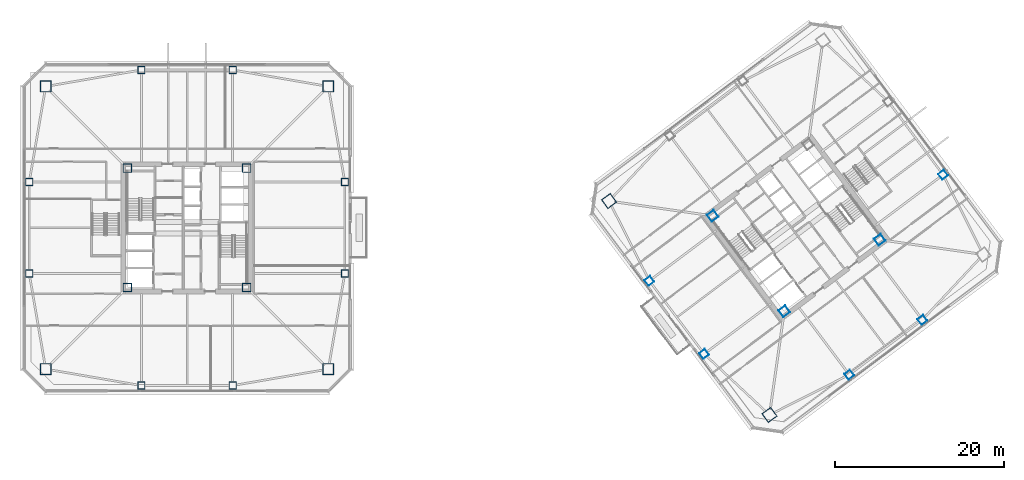
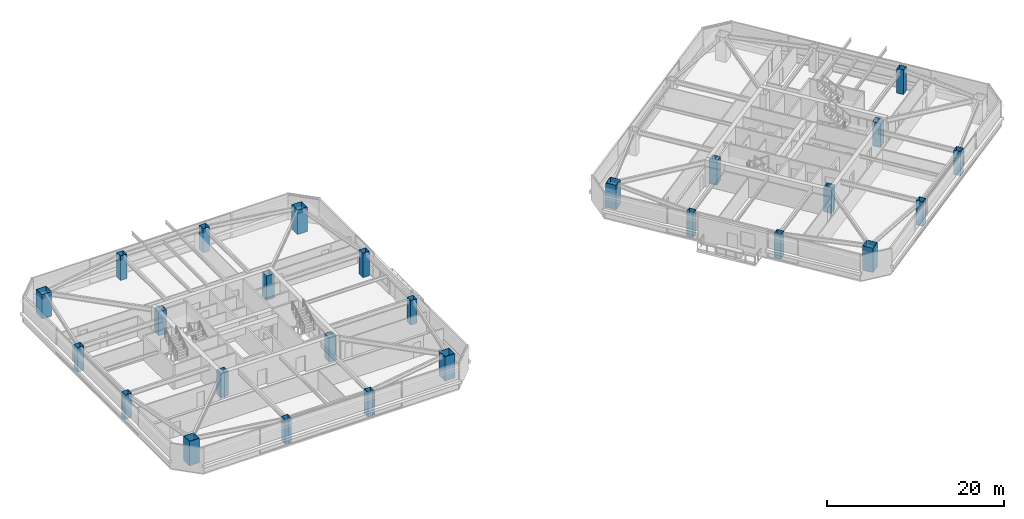
# One storey, part 1 of 40: 26 columns.
"""IFC4 building model written with IfcOpenShell, lengths in metres."""

from ifc_helpers import new_model, si_unit, direction, frame, origin, origin_2d, place, context, subcontext, project, spatial, hollow_rectangle, extrude, material, material_profile, profile_set, type_object, element, save


model = new_model("IFC4")

# Units and contexts
model_context = context("Model", 3, precision=1e-05, world=origin(), true_north=direction((0.0, 1.0)))
body_context = subcontext(model_context, "Body", "Model", "MODEL_VIEW")
ifc_project = project(units=[si_unit("LENGTHUNIT", "METRE"), si_unit("AREAUNIT", "SQUARE_METRE"), si_unit("VOLUMEUNIT", "CUBIC_METRE"), si_unit("PLANEANGLEUNIT", "RADIAN"), si_unit("MASSUNIT", "GRAM", prefix="KILO")], contexts=[model_context])

# Site, building, storey
site_placement = place(None, origin())
site = spatial("IfcSite", under=ifc_project, at=site_placement, CompositionType="ELEMENT")
building_placement = place(site_placement, origin())
building = spatial("IfcBuilding", under=site, at=building_placement, Name="Tashvorn Skyway Center", CompositionType="ELEMENT")
storey_placement = place(building_placement, frame((0.0, 0.0, 142.800048828125)))
storey = spatial("IfcBuildingStorey", under=building, at=storey_placement, Name="L38", CompositionType="ELEMENT", Elevation=142.800048828125)

# Columns
ifc_material = material(Name="Steel ASTM A572 Grade 50", Category="steel")
ifc_material_profile_1 = material_profile(ifc_material, hollow_rectangle(XDim=1.0, YDim=1.0, WallThickness=0.0400390625, at=origin_2d()), Name="BOX1000x1000x40")
ifc_profile_set_1 = profile_set([ifc_material_profile_1], Name="Steel ASTM A572 Grade 50")
column_type_1 = type_object("IfcColumnType", Name="COL-BOX1000x1000x40", PredefinedType="COLUMN", material=ifc_profile_set_1)
for number, where, z_axis, x_axis, name in (
    (1, (34.949951171875, 24.949951171875, 0.0), (0.0, 0.0, 1.0), (1.0, 0.0, 0.0), "Tower 1 L38 Core Corner Column CC-SW"),
    (2, (49.050048828125, 24.949951171875, 0.0), (0.0, 0.0, 1.0), (1.0, 0.0, 0.0), "Tower 1 L38 Core Corner Column CC-SE"),
    (3, (49.050048828125, 39.050048828125, 0.0), (0.0, 0.0, 1.0), (1.0, 0.0, 0.0), "Tower 1 L38 Core Corner Column CC-NE"),
    (4, (34.949951171875, 39.050048828125, 0.0), (0.0, 0.0, 1.0), (1.0, 0.0, 0.0), "Tower 1 L38 Core Corner Column CC-NW"),
    (5, (112.590087890625, 22.1298828125, 0.0), (0.0, 0.0, 1.0), (0.799999996291, 0.600000004945, 0.0), "Tower 2 L38 Core Corner Column CC-SW"),
    (6, (123.8701171875, 30.590087890625, 0.0), (0.0, 0.0, 1.0), (0.799999996291, 0.600000004945, 0.0), "Tower 2 L38 Core Corner Column CC-SE"),
    (7, (104.1298828125, 33.409912109375, 0.0), (0.0, 0.0, 1.0), (0.799999996291, 0.600000004945, 0.0), "Tower 2 L38 Core Corner Column CC-NW"),
):
    element("IfcColumn", number, at=place(storey_placement, frame(where, z_axis=z_axis, x_axis=x_axis)), inside=storey, type_object=column_type_1, Name=name, PredefinedType="COLUMN", context=body_context, shape_type="SweptSolid", body=[
        extrude(hollow_rectangle(XDim=1.0, YDim=1.0, WallThickness=0.0400390625, at=origin_2d()), origin(), (0.0, 0.0, 1.0), 3.369873046875),
    ])
ifc_material_profile_2 = material_profile(ifc_material, hollow_rectangle(XDim=1.300048828125, YDim=1.300048828125, WallThickness=0.050048828125, at=origin_2d()), Name="BOX1300x1300x50")
ifc_profile_set_2 = profile_set([ifc_material_profile_2], Name="Steel ASTM A572 Grade 50")
column_type_2 = type_object("IfcColumnType", Name="COL-BOX1300x1300x50", PredefinedType="COLUMN", material=ifc_profile_set_2)
for number, where, z_axis, x_axis, name in (
    (8, (25.300048828125, 15.300048828125, 0.0), (0.0, 0.0, 1.0), (1.0, 0.0, 0.0), "Tower 1 L38 Mega-Column MC-SW"),
    (9, (58.699951171875, 15.300048828125, 0.0), (0.0, 0.0, 1.0), (1.0, 0.0, 0.0), "Tower 1 L38 Mega-Column MC-SE"),
    (10, (58.699951171875, 48.699951171875, 0.0), (0.0, 0.0, 1.0), (1.0, 0.0, 0.0), "Tower 1 L38 Mega-Column MC-NE"),
    (11, (25.300048828125, 48.699951171875, 0.0), (0.0, 0.0, 1.0), (1.0, 0.0, 0.0), "Tower 1 L38 Mega-Column MC-NW"),
    (12, (110.840087890625, 9.8798828125, 0.0), (0.0, 0.0, 1.0), (0.799999996291, 0.600000004945, 0.0), "Tower 2 L38 Mega-Column MC-SW"),
    (13, (91.8798828125, 35.159912109375, 0.0), (0.0, 0.0, 1.0), (0.799999996291, 0.600000004945, 0.0), "Tower 2 L38 Mega-Column MC-NW"),
):
    element("IfcColumn", number, at=place(storey_placement, frame(where, z_axis=z_axis, x_axis=x_axis)), inside=storey, type_object=column_type_2, Name=name, PredefinedType="COLUMN", context=body_context, shape_type="SweptSolid", body=[
        extrude(hollow_rectangle(XDim=1.300048828125, YDim=1.300048828125, WallThickness=0.050048828125, at=origin_2d()), origin(), (0.0, 0.0, 1.0), 3.369873046875),
    ])
ifc_material_profile_3 = material_profile(ifc_material, hollow_rectangle(XDim=0.85009765625, YDim=0.85009765625, WallThickness=0.034912109375, at=origin_2d()), Name="BOX850x850x35")
ifc_profile_set_3 = profile_set([ifc_material_profile_3], Name="Steel ASTM A572 Grade 50")
column_type_3 = type_object("IfcColumnType", Name="COL-BOX850x850x35", PredefinedType="COLUMN", material=ifc_profile_set_3)
for number, where, z_axis, x_axis, name in (
    (14, (36.60009765625, 13.35009765625, 0.0), (0.0, 0.0, 1.0), (1.0, 0.0, 0.0), "Tower 1 L38 Perimeter Column FC-S1"),
    (15, (47.39990234375, 13.35009765625, 0.0), (0.0, 0.0, 1.0), (1.0, 0.0, 0.0), "Tower 1 L38 Perimeter Column FC-S2"),
    (16, (60.64990234375, 26.60009765625, 0.0), (0.0, 0.0, 1.0), (1.0, 0.0, 0.0), "Tower 1 L38 Perimeter Column FC-E1"),
    (17, (60.64990234375, 37.39990234375, 0.0), (0.0, 0.0, 1.0), (1.0, 0.0, 0.0), "Tower 1 L38 Perimeter Column FC-E2"),
    (18, (47.39990234375, 50.64990234375, 0.0), (0.0, 0.0, 1.0), (1.0, 0.0, 0.0), "Tower 1 L38 Perimeter Column FC-N1"),
    (19, (36.60009765625, 50.64990234375, 0.0), (0.0, 0.0, 1.0), (1.0, 0.0, 0.0), "Tower 1 L38 Perimeter Column FC-N2"),
    (20, (23.35009765625, 37.39990234375, 0.0), (0.0, 0.0, 1.0), (1.0, 0.0, 0.0), "Tower 1 L38 Perimeter Column FC-W1"),
    (21, (23.35009765625, 26.60009765625, 0.0), (0.0, 0.0, 1.0), (1.0, 0.0, 0.0), "Tower 1 L38 Perimeter Column FC-W2"),
    (22, (120.27001953125, 14.639892578125, 0.0), (0.0, 0.0, 1.0), (0.799999996291, 0.600000004945, 0.0), "Tower 2 L38 Perimeter Column FC-S1"),
    (23, (128.909912109375, 21.1201171875, 0.0), (0.0, 0.0, 1.0), (0.799999996291, 0.600000004945, 0.0), "Tower 2 L38 Perimeter Column FC-S2"),
    (24, (131.360107421875, 38.27001953125, 0.0), (0.0, 0.0, 1.0), (0.799999996291, 0.600000004945, 0.0), "Tower 2 L38 Perimeter Column FC-E1"),
    (25, (96.639892578125, 25.72998046875, 0.0), (0.0, 0.0, 1.0), (0.799999996291, 0.600000004945, 0.0), "Tower 2 L38 Perimeter Column FC-W1"),
    (26, (103.1201171875, 17.090087890625, 0.0), (0.0, 0.0, 1.0), (0.799999996291, 0.600000004945, 0.0), "Tower 2 L38 Perimeter Column FC-W2"),
):
    element("IfcColumn", number, at=place(storey_placement, frame(where, z_axis=z_axis, x_axis=x_axis)), inside=storey, type_object=column_type_3, Name=name, PredefinedType="COLUMN", context=body_context, shape_type="SweptSolid", body=[
        extrude(hollow_rectangle(XDim=0.85009765625, YDim=0.85009765625, WallThickness=0.034912109375, at=origin_2d()), origin(), (0.0, 0.0, 1.0), 3.369873046875),
    ])

save(model, "model.ifc")
